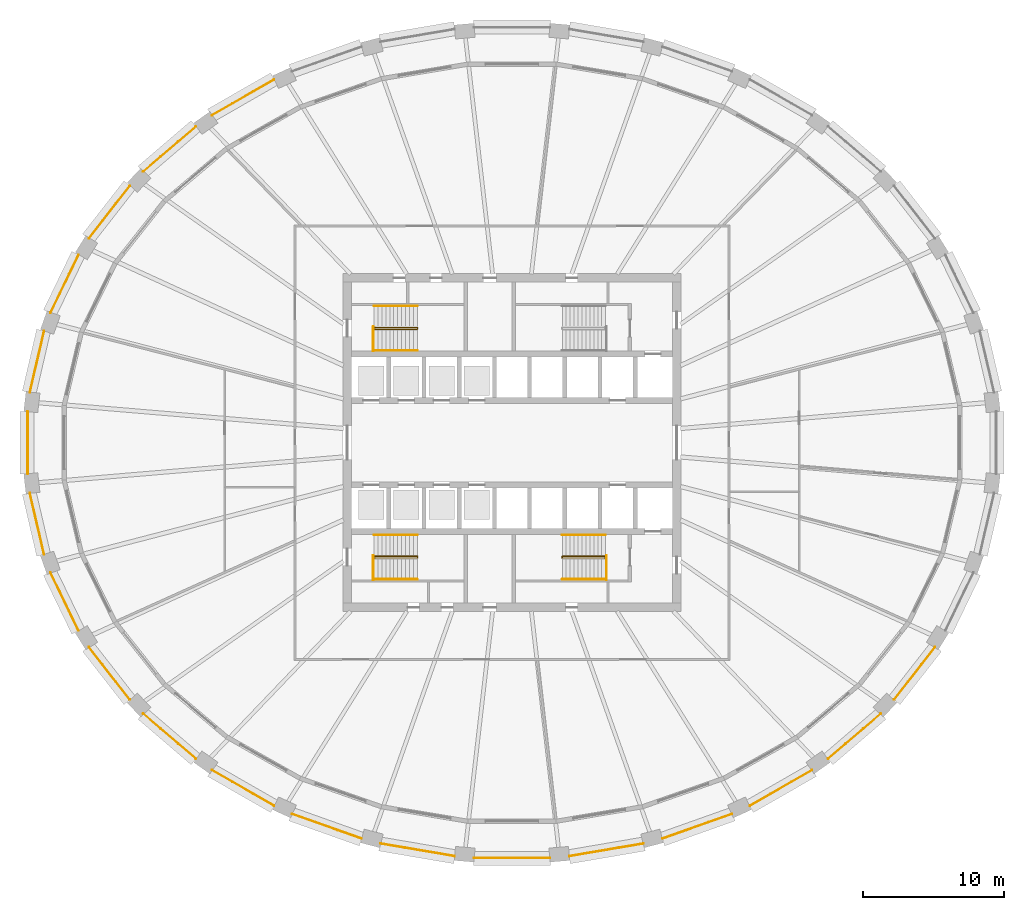
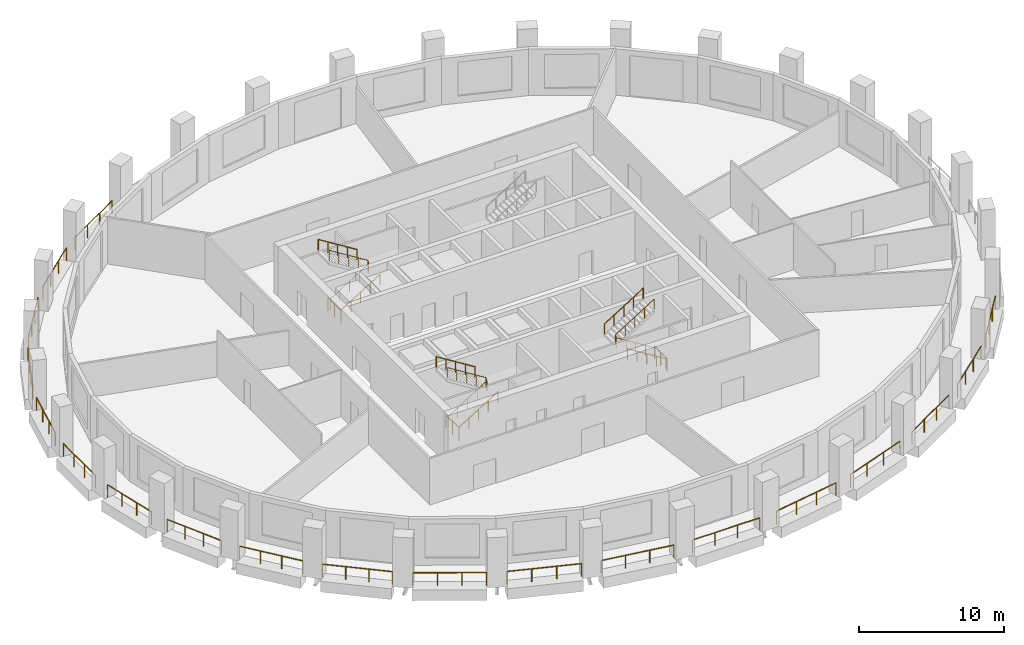
# One storey, part 8 of 10: 31 railings.
"""IFC4 building model written with IfcOpenShell, lengths in metres."""

import ifcopenshell
import ifcopenshell.guid

model = None  # the IFC model being written
_history = None  # IfcOwnerHistory: only IFC2X3 demands one
_inside = {}  # id of a spatial element -> (the spatial element, [elements in it])
_under = {}  # id of a project, library or spatial element -> (it, [spatial elements below it])
_declared = {}  # id of a project -> (the project, [libraries it declares])
_typed = {}  # id of a type object -> (the type object, [elements of that type])
_made_of = {}  # id of a material, layer set ... -> (it, [elements and type objects made of it])


def new_model(schema):
    """Start an empty IFC model of exactly this schema.

    Asked for "IFC4X3", IfcOpenShell would pick the latest addendum, in which some entities
    have other attributes; the version numbers below select the first issue.
    IFC2X3 requires an IfcOwnerHistory on every rooted entity: one is made here for all.
    """
    global model, _history
    if schema == "IFC4X3":
        model = ifcopenshell.file(schema_version=(4, 3, 0, 0))
    else:
        model = ifcopenshell.file(schema=schema)
    _inside.clear()
    _under.clear()
    _declared.clear()
    _typed.clear()
    _made_of.clear()
    _history = None
    if model.schema == "IFC2X3":
        org = make("IfcOrganization", Name="unknown")
        user = make(
            "IfcPersonAndOrganization",
            ThePerson=make("IfcPerson", FamilyName="unknown"),
            TheOrganization=org,
        )
        app = make(
            "IfcApplication",
            ApplicationDeveloper=org,
            Version="unknown",
            ApplicationFullName="unknown",
            ApplicationIdentifier="unknown",
        )
        _history = make(
            "IfcOwnerHistory",
            OwningUser=user,
            OwningApplication=app,
            ChangeAction="ADDED",
            CreationDate=0,
        )
    return model


def make(cls, **values):
    """One entity of the class cls with the attributes given. An attribute that is None is left unset."""
    return model.create_entity(
        cls, **{name: value for name, value in values.items() if value is not None}
    )


def rooted(cls, **values):
    """An entity with a GlobalId (a new one), such as an element, a storey or a relation."""
    return make(cls, GlobalId=ifcopenshell.guid.new(), OwnerHistory=_history, **values)


def si_unit(unit_type, name, prefix=None):
    """IfcSIUnit, for example si_unit("LENGTHUNIT", "METRE", prefix="MILLI")."""
    return make("IfcSIUnit", UnitType=unit_type, Prefix=prefix, Name=name)


def assignment(units):
    """IfcUnitAssignment: the units of a project."""
    return None if units is None else make("IfcUnitAssignment", Units=units)


def point(xyz):
    """IfcCartesianPoint."""
    return None if xyz is None else make("IfcCartesianPoint", Coordinates=xyz)


def direction(xyz):
    """IfcDirection."""
    return None if xyz is None else make("IfcDirection", DirectionRatios=xyz)


def frame(location, z_axis=None, x_axis=None):
    """IfcAxis2Placement3D, a coordinate frame: its origin and axes. An axis left out is left unset."""
    return make(
        "IfcAxis2Placement3D",
        Location=point(location),
        Axis=direction(z_axis),
        RefDirection=direction(x_axis),
    )


def frame_2d(location, x_axis=None):
    """IfcAxis2Placement2D, a coordinate frame in the plane: its origin and x axis."""
    return make(
        "IfcAxis2Placement2D", Location=point(location), RefDirection=direction(x_axis)
    )


def origin():
    """The frame at (0, 0, 0) with its axes left unset."""
    return frame((0.0, 0.0, 0.0))


def origin_2d():
    """The frame at (0, 0) in the plane with its x axis left unset."""
    return frame_2d((0.0, 0.0))


def place(relative_to, where):
    """IfcLocalPlacement: puts the frame where relative to a parent placement (None: the world)."""
    return make(
        "IfcLocalPlacement", PlacementRelTo=relative_to, RelativePlacement=where
    )


def context(
    kind, dimensions, precision=None, world=None, true_north=None, identifier=None
):
    """IfcGeometricRepresentationContext, for example the 3D "Model" context."""
    return make(
        "IfcGeometricRepresentationContext",
        ContextIdentifier=identifier,
        ContextType=kind,
        CoordinateSpaceDimension=dimensions,
        Precision=precision,
        WorldCoordinateSystem=world,
        TrueNorth=true_north,
    )


def subcontext(parent, identifier, kind, view, scale=None):
    """IfcGeometricRepresentationSubContext, for example "Body" below "Model"."""
    return make(
        "IfcGeometricRepresentationSubContext",
        ContextIdentifier=identifier,
        ContextType=kind,
        ParentContext=parent,
        TargetScale=scale,
        TargetView=view,
    )


def project(units=None, contexts=None):
    """IfcProject with its units and contexts."""
    return rooted(
        "IfcProject",
        Name="project",
        RepresentationContexts=contexts,
        UnitsInContext=assignment(units),
    )


def spatial(cls, under=None, at=None, **own):
    """A site, building, storey or space (cls), placed at a placement, below another one or the project."""
    s = rooted(cls, ObjectPlacement=at, **own)
    if under is not None:
        _under.setdefault(under.id(), (under, []))[1].append(s)
    return s


def profile(cls, at=None, kind="AREA", **sizes):
    """A parametric profile (cls). Its sizes go by their IFC names, for example OverallWidth=200.0."""
    return make(cls, ProfileType=kind, Position=at, **sizes)


def circle(**sizes):
    """IfcCircleProfileDef."""
    return profile("IfcCircleProfileDef", **sizes)


def extrude(swept, where, along, depth):
    """IfcExtrudedAreaSolid: the profile swept, set in the frame where, extruded along a direction by depth."""
    return make(
        "IfcExtrudedAreaSolid",
        SweptArea=swept,
        Position=where,
        ExtrudedDirection=direction(along),
        Depth=depth,
    )


def shape(context_of_items, identifier, shape_type, items):
    """IfcShapeRepresentation: the items that make up one representation, for example the "Body"."""
    return make(
        "IfcShapeRepresentation",
        ContextOfItems=context_of_items,
        RepresentationIdentifier=identifier,
        RepresentationType=shape_type,
        Items=items,
    )


def material(Name=None, Category=None):
    """IfcMaterial."""
    return make("IfcMaterial", Name=Name, Category=Category)


def made_of(thing, what):
    """Note that an element or type object is made of a material, layer set ...; save() writes the relation."""
    if what is not None:
        _made_of.setdefault(what.id(), (what, []))[1].append(thing)
    return thing


def type_object(cls, material=None, **own):
    """A type object (cls), such as IfcWallType, which elements share."""
    return made_of(rooted(cls, **own), material)


def element(
    cls,
    number,
    at=None,
    inside=None,
    cuts=None,
    type_object=None,
    material=None,
    context=None,
    identifier="Body",
    shape_type=None,
    held_by="IfcProductDefinitionShape",
    body=None,
    shapes=None,
    **own,
):
    """One element of the class cls, such as IfcWall. Its Tag is "e" and its number.

    at: its placement. inside: the storey or other place that contains it. cuts: it is an
    opening in that element (IfcRelVoidsElement). A single representation is given by context,
    identifier, shape_type and body (its items); several are given by shapes. held_by: the class
    of the entity that holds the representations. save() writes the other relations.
    """
    e = rooted(cls, Tag="e%d" % number, ObjectPlacement=at, **own)
    if body is not None:
        shapes = [shape(context, identifier, shape_type, body)]
    if shapes is not None:
        e.Representation = make(held_by, Representations=shapes)
    if inside is not None:
        _inside.setdefault(inside.id(), (inside, []))[1].append(e)
    if cuts is not None:
        rooted(
            "IfcRelVoidsElement", RelatingBuildingElement=cuts, RelatedOpeningElement=e
        )
    if type_object is not None:
        _typed.setdefault(type_object.id(), (type_object, []))[1].append(e)
    return made_of(e, material)


def aggregate(whole, parts):
    """IfcRelAggregates: a whole, such as a stair, and the parts it consists of."""
    return rooted("IfcRelAggregates", RelatingObject=whole, RelatedObjects=parts)


def save(model, path):
    """Write the relations noted so far, then the file.

    IfcRelAggregates (storeys below a building ...), IfcRelContainedInSpatialStructure (elements
    in a storey), IfcRelDefinesByType, IfcRelAssociatesMaterial and IfcRelDeclares: one each for
    every whole, place, type object, material and project.
    """
    for whole, parts in _under.values():
        aggregate(whole, parts)
    for where, things in _inside.values():
        rooted(
            "IfcRelContainedInSpatialStructure",
            RelatedElements=things,
            RelatingStructure=where,
        )
    for kind, things in _typed.values():
        rooted("IfcRelDefinesByType", RelatedObjects=things, RelatingType=kind)
    for what, things in _made_of.values():
        rooted("IfcRelAssociatesMaterial", RelatedObjects=things, RelatingMaterial=what)
    for by, libraries in _declared.values():
        rooted("IfcRelDeclares", RelatingContext=by, RelatedDefinitions=libraries)
    model.write(path)


model = new_model("IFC4")

# Units and contexts
model_context = context("Model", 3, precision=1e-05, world=origin(), true_north=direction((0.0, 1.0)))
body_context = subcontext(model_context, "Body", "Model", "MODEL_VIEW")
ifc_project = project(units=[si_unit("LENGTHUNIT", "METRE"), si_unit("AREAUNIT", "SQUARE_METRE"), si_unit("VOLUMEUNIT", "CUBIC_METRE"), si_unit("PLANEANGLEUNIT", "RADIAN"), si_unit("MASSUNIT", "GRAM", prefix="KILO")], contexts=[model_context])

# Site, building, storey
site_placement = place(None, origin())
site = spatial("IfcSite", under=ifc_project, at=site_placement, CompositionType="ELEMENT")
building_placement = place(site_placement, origin())
building = spatial("IfcBuilding", under=site, at=building_placement, Name="Halqa Exchange Tower", CompositionType="ELEMENT")
storey_placement = place(building_placement, frame((0.0, 0.0, 138.10009765625)))
storey = spatial("IfcBuildingStorey", under=building, at=storey_placement, Name="L31", CompositionType="ELEMENT", Elevation=138.10009765625)

# Railings
ifc_material = material(Name="Stainless steel", Category="steel")
railing_type_1 = type_object("IfcRailingType", Name="Guard 1100 stainless steel", PredefinedType="GUARDRAIL", material=ifc_material)
railing_1_placement = place(storey_placement, frame((-16.899169921875, 25.777587890625, 0.0)))
element("IfcRailing", 1, at=railing_1_placement, inside=storey, type_object=railing_type_1, Name="Loggia guard 11", PredefinedType="GUARDRAIL", context=body_context, shape_type="SweptSolid", body=[
    extrude(circle(Radius=0.02392578125, at=origin_2d()), frame((0.0, 0.0, 1.076171875), z_axis=(-0.867749936093, -0.497001054738, 0.0), x_axis=(0.497001054738, -0.867749936093, 0.0)), (0.0, 0.0, 1.0), 5.091552734375),
    extrude(circle(Radius=0.02099609375, at=origin_2d()), origin(), (0.0, 0.0, 1.0), 1.052001953125),
    extrude(circle(Radius=0.02099609375, at=origin_2d()), frame((-1.47265625, -0.843505859375, 0.0)), (0.0, 0.0, 1.0), 1.052001953125),
    extrude(circle(Radius=0.02099609375, at=origin_2d()), frame((-2.945556640625, -1.68701171875, 0.0)), (0.0, 0.0, 1.0), 1.052001953125),
    extrude(circle(Radius=0.02099609375, at=origin_2d()), frame((-4.418212890625, -2.530517578125, 0.0)), (0.0, 0.0, 1.0), 1.052001953125),
])
railing_2_placement = place(storey_placement, frame((-22.45654296875, 22.443603515625, 0.0)))
element("IfcRailing", 2, at=railing_2_placement, inside=storey, type_object=railing_type_1, Name="Loggia guard 12", PredefinedType="GUARDRAIL", context=body_context, shape_type="SweptSolid", body=[
    extrude(circle(Radius=0.02392578125, at=origin_2d()), frame((0.0, 0.0, 1.076171875), z_axis=(-0.759228520652, -0.650824134025, 0.0), x_axis=(0.650824134025, -0.759228520652, 0.0)), (0.0, 0.0, 1.0), 4.90966796875),
    extrude(circle(Radius=0.02099609375, at=origin_2d()), origin(), (0.0, 0.0, 1.0), 1.052001953125),
    extrude(circle(Radius=0.02099609375, at=origin_2d()), frame((-1.242431640625, -1.065185546875, 0.0)), (0.0, 0.0, 1.0), 1.052001953125),
    extrude(circle(Radius=0.02099609375, at=origin_2d()), frame((-2.485107421875, -2.130126953125, 0.0)), (0.0, 0.0, 1.0), 1.052001953125),
    extrude(circle(Radius=0.02099609375, at=origin_2d()), frame((-3.7275390625, -3.1953125, 0.0)), (0.0, 0.0, 1.0), 1.052001953125),
])
railing_3_placement = place(storey_placement, frame((-27.14599609375, 18.24072265625, 0.0)))
element("IfcRailing", 3, at=railing_3_placement, inside=storey, type_object=railing_type_1, Name="Loggia guard 13", PredefinedType="GUARDRAIL", context=body_context, shape_type="SweptSolid", body=[
    extrude(circle(Radius=0.02392578125, at=origin_2d()), frame((0.0, 0.0, 1.076171875), z_axis=(-0.614809984835, -0.788675270658, 0.0), x_axis=(0.788675270658, -0.614809984835, 0.0)), (0.0, 0.0, 1.0), 4.722412109375),
    extrude(circle(Radius=0.02099609375, at=origin_2d()), origin(), (0.0, 0.0, 1.0), 1.052001953125),
    extrude(circle(Radius=0.02099609375, at=origin_2d()), frame((-0.9677734375, -1.241455078125, 0.0)), (0.0, 0.0, 1.0), 1.052001953125),
    extrude(circle(Radius=0.02099609375, at=origin_2d()), frame((-1.935546875, -2.48291015625, 0.0)), (0.0, 0.0, 1.0), 1.052001953125),
    extrude(circle(Radius=0.02099609375, at=origin_2d()), frame((-2.9033203125, -3.724365234375, 0.0)), (0.0, 0.0, 1.0), 1.052001953125),
])
railing_4_placement = place(storey_placement, frame((-30.7841796875, 13.333984375, 0.0)))
element("IfcRailing", 4, at=railing_4_placement, inside=storey, type_object=railing_type_1, Name="Loggia guard 14", PredefinedType="GUARDRAIL", context=body_context, shape_type="SweptSolid", body=[
    extrude(circle(Radius=0.02392578125, at=origin_2d()), frame((0.0, 0.0, 1.076171875), z_axis=(-0.435090513409, -0.900386719772, 0.0), x_axis=(0.900386719772, -0.435090513409, 0.0)), (0.0, 0.0, 1.0), 4.55859375),
    extrude(circle(Radius=0.02099609375, at=origin_2d()), origin(), (0.0, 0.0, 1.0), 1.052001953125),
    extrude(circle(Radius=0.02099609375, at=origin_2d()), frame((-0.6611328125, -1.3681640625, 0.0)), (0.0, 0.0, 1.0), 1.052001953125),
    extrude(circle(Radius=0.02099609375, at=origin_2d()), frame((-1.322265625, -2.736328125, 0.0)), (0.0, 0.0, 1.0), 1.052001953125),
    extrude(circle(Radius=0.02099609375, at=origin_2d()), frame((-1.9833984375, -4.1044921875, 0.0)), (0.0, 0.0, 1.0), 1.052001953125),
])
railing_5_placement = place(storey_placement, frame((-33.230712890625, 7.917236328125, 0.0)))
element("IfcRailing", 5, at=railing_5_placement, inside=storey, type_object=railing_type_1, Name="Loggia guard 15", PredefinedType="GUARDRAIL", context=body_context, shape_type="SweptSolid", body=[
    extrude(circle(Radius=0.02392578125, at=origin_2d()), frame((0.0, 0.0, 1.076171875), z_axis=(-0.226030168713, -0.974120302032, 0.0), x_axis=(0.974120302032, -0.226030168713, 0.0)), (0.0, 0.0, 1.0), 4.44677734375),
    extrude(circle(Radius=0.02099609375, at=origin_2d()), origin(), (0.0, 0.0, 1.0), 1.052001953125),
    extrude(circle(Radius=0.02099609375, at=origin_2d()), frame((-0.3349609375, -1.44384765625, 0.0)), (0.0, 0.0, 1.0), 1.052001953125),
    extrude(circle(Radius=0.02099609375, at=origin_2d()), frame((-0.670166015625, -2.887939453125, 0.0)), (0.0, 0.0, 1.0), 1.052001953125),
    extrude(circle(Radius=0.02099609375, at=origin_2d()), frame((-1.005126953125, -4.331787109375, 0.0)), (0.0, 0.0, 1.0), 1.052001953125),
])
railing_6_placement = place(storey_placement, frame((-34.39404296875, 2.20361328125, 0.0)))
element("IfcRailing", 6, at=railing_6_placement, inside=storey, type_object=railing_type_1, Name="Loggia guard 16", PredefinedType="GUARDRAIL", context=body_context, shape_type="SweptSolid", body=[
    extrude(circle(Radius=0.02392578125, at=origin_2d()), frame((0.0, 0.0, 1.076171875), z_axis=(0.0, -1.0, 0.0), x_axis=(1.0, 0.0, 0.0)), (0.0, 0.0, 1.0), 4.4072265625),
    extrude(circle(Radius=0.02099609375, at=origin_2d()), origin(), (0.0, 0.0, 1.0), 1.052001953125),
    extrude(circle(Radius=0.02099609375, at=origin_2d()), frame((0.0, -1.468994140625, 0.0)), (0.0, 0.0, 1.0), 1.052001953125),
    extrude(circle(Radius=0.02099609375, at=origin_2d()), frame((0.0, -2.938232421875, 0.0)), (0.0, 0.0, 1.0), 1.052001953125),
    extrude(circle(Radius=0.02099609375, at=origin_2d()), frame((0.0, -4.4072265625, 0.0)), (0.0, 0.0, 1.0), 1.052001953125),
])
railing_7_placement = place(storey_placement, frame((-34.23583984375, -3.58544921875, 0.0)))
element("IfcRailing", 7, at=railing_7_placement, inside=storey, type_object=railing_type_1, Name="Loggia guard 17", PredefinedType="GUARDRAIL", context=body_context, shape_type="SweptSolid", body=[
    extrude(circle(Radius=0.02392578125, at=origin_2d()), frame((0.0, 0.0, 1.076171875), z_axis=(0.226030168713, -0.974120302032, 0.0), x_axis=(0.974120302032, 0.226030168713, 0.0)), (0.0, 0.0, 1.0), 4.44677734375),
    extrude(circle(Radius=0.02099609375, at=origin_2d()), origin(), (0.0, 0.0, 1.0), 1.052001953125),
    extrude(circle(Radius=0.02099609375, at=origin_2d()), frame((0.3349609375, -1.44384765625, 0.0)), (0.0, 0.0, 1.0), 1.052001953125),
    extrude(circle(Radius=0.02099609375, at=origin_2d()), frame((0.670166015625, -2.887939453125, 0.0)), (0.0, 0.0, 1.0), 1.052001953125),
    extrude(circle(Radius=0.02099609375, at=origin_2d()), frame((1.005126953125, -4.331787109375, 0.0)), (0.0, 0.0, 1.0), 1.052001953125),
])
railing_8_placement = place(storey_placement, frame((-32.767578125, -9.2294921875, 0.0)))
element("IfcRailing", 8, at=railing_8_placement, inside=storey, type_object=railing_type_1, Name="Loggia guard 18", PredefinedType="GUARDRAIL", context=body_context, shape_type="SweptSolid", body=[
    extrude(circle(Radius=0.02392578125, at=origin_2d()), frame((0.0, 0.0, 1.076171875), z_axis=(0.435090513409, -0.900386719772, 0.0), x_axis=(0.900386719772, 0.435090513409, 0.0)), (0.0, 0.0, 1.0), 4.55859375),
    extrude(circle(Radius=0.02099609375, at=origin_2d()), origin(), (0.0, 0.0, 1.0), 1.052001953125),
    extrude(circle(Radius=0.02099609375, at=origin_2d()), frame((0.6611328125, -1.3681640625, 0.0)), (0.0, 0.0, 1.0), 1.052001953125),
    extrude(circle(Radius=0.02099609375, at=origin_2d()), frame((1.322265625, -2.736328125, 0.0)), (0.0, 0.0, 1.0), 1.052001953125),
    extrude(circle(Radius=0.02099609375, at=origin_2d()), frame((1.9833984375, -4.1044921875, 0.0)), (0.0, 0.0, 1.0), 1.052001953125),
])
railing_9_placement = place(storey_placement, frame((-30.04931640625, -14.516357421875, 0.0)))
element("IfcRailing", 9, at=railing_9_placement, inside=storey, type_object=railing_type_1, Name="Loggia guard 19", PredefinedType="GUARDRAIL", context=body_context, shape_type="SweptSolid", body=[
    extrude(circle(Radius=0.02392578125, at=origin_2d()), frame((0.0, 0.0, 1.076171875), z_axis=(0.614809984835, -0.788675270658, 0.0), x_axis=(0.788675270658, 0.614809984835, 0.0)), (0.0, 0.0, 1.0), 4.722412109375),
    extrude(circle(Radius=0.02099609375, at=origin_2d()), origin(), (0.0, 0.0, 1.0), 1.052001953125),
    extrude(circle(Radius=0.02099609375, at=origin_2d()), frame((0.9677734375, -1.241455078125, 0.0)), (0.0, 0.0, 1.0), 1.052001953125),
    extrude(circle(Radius=0.02099609375, at=origin_2d()), frame((1.935546875, -2.48291015625, 0.0)), (0.0, 0.0, 1.0), 1.052001953125),
    extrude(circle(Radius=0.02099609375, at=origin_2d()), frame((2.9033203125, -3.724365234375, 0.0)), (0.0, 0.0, 1.0), 1.052001953125),
])
railing_10_placement = place(storey_placement, frame((-26.18408203125, -19.248291015625, 0.0)))
element("IfcRailing", 10, at=railing_10_placement, inside=storey, type_object=railing_type_1, Name="Loggia guard 20", PredefinedType="GUARDRAIL", context=body_context, shape_type="SweptSolid", body=[
    extrude(circle(Radius=0.02392578125, at=origin_2d()), frame((0.0, 0.0, 1.076171875), z_axis=(0.759228520652, -0.650824134025, 0.0), x_axis=(0.650824134025, 0.759228520652, 0.0)), (0.0, 0.0, 1.0), 4.90966796875),
    extrude(circle(Radius=0.02099609375, at=origin_2d()), origin(), (0.0, 0.0, 1.0), 1.052001953125),
    extrude(circle(Radius=0.02099609375, at=origin_2d()), frame((1.242431640625, -1.065185546875, 0.0)), (0.0, 0.0, 1.0), 1.052001953125),
    extrude(circle(Radius=0.02099609375, at=origin_2d()), frame((2.485107421875, -2.130126953125, 0.0)), (0.0, 0.0, 1.0), 1.052001953125),
    extrude(circle(Radius=0.02099609375, at=origin_2d()), frame((3.7275390625, -3.1953125, 0.0)), (0.0, 0.0, 1.0), 1.052001953125),
])
railing_11_placement = place(storey_placement, frame((-21.3173828125, -23.2470703125, 0.0)))
element("IfcRailing", 11, at=railing_11_placement, inside=storey, type_object=railing_type_1, Name="Loggia guard 21", PredefinedType="GUARDRAIL", context=body_context, shape_type="SweptSolid", body=[
    extrude(circle(Radius=0.02392578125, at=origin_2d()), frame((0.0, 0.0, 1.076171875), z_axis=(0.867749936093, -0.497001054738, 0.0), x_axis=(0.497001054738, 0.867749936093, 0.0)), (0.0, 0.0, 1.0), 5.091552734375),
    extrude(circle(Radius=0.02099609375, at=origin_2d()), origin(), (0.0, 0.0, 1.0), 1.052001953125),
    extrude(circle(Radius=0.02099609375, at=origin_2d()), frame((1.47265625, -0.843505859375, 0.0)), (0.0, 0.0, 1.0), 1.052001953125),
    extrude(circle(Radius=0.02099609375, at=origin_2d()), frame((2.945556640625, -1.68701171875, 0.0)), (0.0, 0.0, 1.0), 1.052001953125),
    extrude(circle(Radius=0.02099609375, at=origin_2d()), frame((4.418212890625, -2.530517578125, 0.0)), (0.0, 0.0, 1.0), 1.052001953125),
])
railing_12_placement = place(storey_placement, frame((-15.632080078125, -26.359619140625, 0.0)))
element("IfcRailing", 12, at=railing_12_placement, inside=storey, type_object=railing_type_1, Name="Loggia guard 22", PredefinedType="GUARDRAIL", context=body_context, shape_type="SweptSolid", body=[
    extrude(circle(Radius=0.02392578125, at=origin_2d()), frame((0.0, 0.0, 1.076171875), z_axis=(0.942366176872, -0.334583306051, 0.0), x_axis=(0.334583306051, 0.942366176872, 0.0)), (0.0, 0.0, 1.0), 5.241943359375),
    extrude(circle(Radius=0.02099609375, at=origin_2d()), origin(), (0.0, 0.0, 1.0), 1.052001953125),
    extrude(circle(Radius=0.02099609375, at=origin_2d()), frame((1.646728515625, -0.584716796875, 0.0)), (0.0, 0.0, 1.0), 1.052001953125),
    extrude(circle(Radius=0.02099609375, at=origin_2d()), frame((3.293212890625, -1.169189453125, 0.0)), (0.0, 0.0, 1.0), 1.052001953125),
    extrude(circle(Radius=0.02099609375, at=origin_2d()), frame((4.93994140625, -1.75390625, 0.0)), (0.0, 0.0, 1.0), 1.052001953125),
])
railing_13_placement = place(storey_placement, frame((-9.34228515625, -28.46533203125, 0.0)))
element("IfcRailing", 13, at=railing_13_placement, inside=storey, type_object=railing_type_1, Name="Loggia guard 23", PredefinedType="GUARDRAIL", context=body_context, shape_type="SweptSolid", body=[
    extrude(circle(Radius=0.02392578125, at=origin_2d()), frame((0.0, 0.0, 1.076171875), z_axis=(0.985771732872, -0.168089531709, 0.0), x_axis=(0.168089531709, 0.985771732872, 0.0)), (0.0, 0.0, 1.0), 5.340576171875),
    extrude(circle(Radius=0.02099609375, at=origin_2d()), origin(), (0.0, 0.0, 1.0), 1.052001953125),
    extrude(circle(Radius=0.02099609375, at=origin_2d()), frame((1.7548828125, -0.29931640625, 0.0)), (0.0, 0.0, 1.0), 1.052001953125),
    extrude(circle(Radius=0.02099609375, at=origin_2d()), frame((3.509765625, -0.598388671875, 0.0)), (0.0, 0.0, 1.0), 1.052001953125),
    extrude(circle(Radius=0.02099609375, at=origin_2d()), frame((5.2646484375, -0.897705078125, 0.0)), (0.0, 0.0, 1.0), 1.052001953125),
])
railing_14_placement = place(storey_placement, frame((-2.6875, -29.480712890625, 0.0)))
element("IfcRailing", 14, at=railing_14_placement, inside=storey, type_object=railing_type_1, Name="Loggia guard 24", PredefinedType="GUARDRAIL", context=body_context, shape_type="SweptSolid", body=[
    extrude(circle(Radius=0.02392578125, at=origin_2d()), frame((0.0, 0.0, 1.076171875), z_axis=(1.0, 0.0, 0.0), x_axis=(0.0, 1.0, 0.0)), (0.0, 0.0, 1.0), 5.375),
    extrude(circle(Radius=0.02099609375, at=origin_2d()), origin(), (0.0, 0.0, 1.0), 1.052001953125),
    extrude(circle(Radius=0.02099609375, at=origin_2d()), frame((1.791748046875, 0.0, 0.0)), (0.0, 0.0, 1.0), 1.052001953125),
    extrude(circle(Radius=0.02099609375, at=origin_2d()), frame((3.583251953125, 0.0, 0.0)), (0.0, 0.0, 1.0), 1.052001953125),
    extrude(circle(Radius=0.02099609375, at=origin_2d()), frame((5.375, 0.0, 0.0)), (0.0, 0.0, 1.0), 1.052001953125),
])
railing_15_placement = place(storey_placement, frame((4.07763671875, -29.363037109375, 0.0)))
element("IfcRailing", 15, at=railing_15_placement, inside=storey, type_object=railing_type_1, Name="Loggia guard 25", PredefinedType="GUARDRAIL", context=body_context, shape_type="SweptSolid", body=[
    extrude(circle(Radius=0.02392578125, at=origin_2d()), frame((0.0, 0.0, 1.076171875), z_axis=(0.985771732872, 0.168089531709, 0.0), x_axis=(-0.168089531709, 0.985771732872, 0.0)), (0.0, 0.0, 1.0), 5.340576171875),
    extrude(circle(Radius=0.02099609375, at=origin_2d()), origin(), (0.0, 0.0, 1.0), 1.052001953125),
    extrude(circle(Radius=0.02099609375, at=origin_2d()), frame((1.7548828125, 0.29931640625, 0.0)), (0.0, 0.0, 1.0), 1.052001953125),
    extrude(circle(Radius=0.02099609375, at=origin_2d()), frame((3.509765625, 0.598388671875, 0.0)), (0.0, 0.0, 1.0), 1.052001953125),
    extrude(circle(Radius=0.02099609375, at=origin_2d()), frame((5.2646484375, 0.897705078125, 0.0)), (0.0, 0.0, 1.0), 1.052001953125),
])
railing_16_placement = place(storey_placement, frame((10.692138671875, -28.113525390625, 0.0)))
element("IfcRailing", 16, at=railing_16_placement, inside=storey, type_object=railing_type_1, Name="Loggia guard 26", PredefinedType="GUARDRAIL", context=body_context, shape_type="SweptSolid", body=[
    extrude(circle(Radius=0.02392578125, at=origin_2d()), frame((0.0, 0.0, 1.076171875), z_axis=(0.942366176872, 0.334583306051, 0.0), x_axis=(-0.334583306051, 0.942366176872, 0.0)), (0.0, 0.0, 1.0), 5.241943359375),
    extrude(circle(Radius=0.02099609375, at=origin_2d()), origin(), (0.0, 0.0, 1.0), 1.052001953125),
    extrude(circle(Radius=0.02099609375, at=origin_2d()), frame((1.646728515625, 0.584716796875, 0.0)), (0.0, 0.0, 1.0), 1.052001953125),
    extrude(circle(Radius=0.02099609375, at=origin_2d()), frame((3.293212890625, 1.169189453125, 0.0)), (0.0, 0.0, 1.0), 1.052001953125),
    extrude(circle(Radius=0.02099609375, at=origin_2d()), frame((4.93994140625, 1.75390625, 0.0)), (0.0, 0.0, 1.0), 1.052001953125),
])
railing_17_placement = place(storey_placement, frame((16.899169921875, -25.777587890625, 0.0)))
element("IfcRailing", 17, at=railing_17_placement, inside=storey, type_object=railing_type_1, Name="Loggia guard 27", PredefinedType="GUARDRAIL", context=body_context, shape_type="SweptSolid", body=[
    extrude(circle(Radius=0.02392578125, at=origin_2d()), frame((0.0, 0.0, 1.076171875), z_axis=(0.867749936093, 0.497001054738, 0.0), x_axis=(-0.497001054738, 0.867749936093, 0.0)), (0.0, 0.0, 1.0), 5.091552734375),
    extrude(circle(Radius=0.02099609375, at=origin_2d()), origin(), (0.0, 0.0, 1.0), 1.052001953125),
    extrude(circle(Radius=0.02099609375, at=origin_2d()), frame((1.47265625, 0.843505859375, 0.0)), (0.0, 0.0, 1.0), 1.052001953125),
    extrude(circle(Radius=0.02099609375, at=origin_2d()), frame((2.945556640625, 1.68701171875, 0.0)), (0.0, 0.0, 1.0), 1.052001953125),
    extrude(circle(Radius=0.02099609375, at=origin_2d()), frame((4.418212890625, 2.530517578125, 0.0)), (0.0, 0.0, 1.0), 1.052001953125),
])
railing_18_placement = place(storey_placement, frame((22.45654296875, -22.443603515625, 0.0)))
element("IfcRailing", 18, at=railing_18_placement, inside=storey, type_object=railing_type_1, Name="Loggia guard 28", PredefinedType="GUARDRAIL", context=body_context, shape_type="SweptSolid", body=[
    extrude(circle(Radius=0.02392578125, at=origin_2d()), frame((0.0, 0.0, 1.076171875), z_axis=(0.759228520652, 0.650824134025, 0.0), x_axis=(-0.650824134025, 0.759228520652, 0.0)), (0.0, 0.0, 1.0), 4.90966796875),
    extrude(circle(Radius=0.02099609375, at=origin_2d()), origin(), (0.0, 0.0, 1.0), 1.052001953125),
    extrude(circle(Radius=0.02099609375, at=origin_2d()), frame((1.242431640625, 1.065185546875, 0.0)), (0.0, 0.0, 1.0), 1.052001953125),
    extrude(circle(Radius=0.02099609375, at=origin_2d()), frame((2.485107421875, 2.130126953125, 0.0)), (0.0, 0.0, 1.0), 1.052001953125),
    extrude(circle(Radius=0.02099609375, at=origin_2d()), frame((3.7275390625, 3.1953125, 0.0)), (0.0, 0.0, 1.0), 1.052001953125),
])
railing_19_placement = place(storey_placement, frame((27.14599609375, -18.24072265625, 0.0)))
element("IfcRailing", 19, at=railing_19_placement, inside=storey, type_object=railing_type_1, Name="Loggia guard 29", PredefinedType="GUARDRAIL", context=body_context, shape_type="SweptSolid", body=[
    extrude(circle(Radius=0.02392578125, at=origin_2d()), frame((0.0, 0.0, 1.076171875), z_axis=(0.614809984835, 0.788675270658, 0.0), x_axis=(-0.788675270658, 0.614809984835, 0.0)), (0.0, 0.0, 1.0), 4.722412109375),
    extrude(circle(Radius=0.02099609375, at=origin_2d()), origin(), (0.0, 0.0, 1.0), 1.052001953125),
    extrude(circle(Radius=0.02099609375, at=origin_2d()), frame((0.9677734375, 1.241455078125, 0.0)), (0.0, 0.0, 1.0), 1.052001953125),
    extrude(circle(Radius=0.02099609375, at=origin_2d()), frame((1.935546875, 2.48291015625, 0.0)), (0.0, 0.0, 1.0), 1.052001953125),
    extrude(circle(Radius=0.02099609375, at=origin_2d()), frame((2.9033203125, 3.724365234375, 0.0)), (0.0, 0.0, 1.0), 1.052001953125),
])
railing_type_2 = type_object("IfcRailingType", Name="Stair handrail 900", PredefinedType="HANDRAIL", material=ifc_material)
railing_20_placement = place(storey_placement, frame((-9.800048828125, 8.06005859375, 0.1748046875)))
element("IfcRailing", 20, at=railing_20_placement, inside=storey, type_object=railing_type_2, Name="Handrail ST1.1", PredefinedType="HANDRAIL", context=body_context, shape_type="SweptSolid", body=[
    extrude(circle(Radius=0.02392578125, at=origin_2d()), frame((0.0, 0.0, 0.8759765625), z_axis=(0.847998304005, 0.0, 0.529998940003), x_axis=(0.0, 1.0, 0.0)), (0.0, 0.0, 1.0), 3.632080078125),
    extrude(circle(Radius=0.02392578125, at=origin_2d()), frame((3.080078125, 0.0, 2.80078125), z_axis=(0.0, 0.595870227118, 0.803080738428), x_axis=(-1.0, 0.0, 0.0)), (0.0, 0.0, 1.0), 0.218017578125),
    extrude(circle(Radius=0.02392578125, at=origin_2d()), frame((3.080078125, 0.1298828125, 2.97607421875), z_axis=(-0.847998304005, 0.0, 0.529998940003), x_axis=(0.0, -1.0, 0.0)), (0.0, 0.0, 1.0), 3.632080078125),
    extrude(circle(Radius=0.02099609375, at=origin_2d()), origin(), (0.0, 0.0, 1.0), 0.851806640625),
    extrude(circle(Radius=0.02099609375, at=origin_2d()), frame((0.77001953125, 0.0, 0.481201171875)), (0.0, 0.0, 1.0), 0.851806640625),
    extrude(circle(Radius=0.02099609375, at=origin_2d()), frame((1.5400390625, 0.0, 0.96240234375)), (0.0, 0.0, 1.0), 0.851806640625),
    extrude(circle(Radius=0.02099609375, at=origin_2d()), frame((2.31005859375, 0.0, 1.44384765625)), (0.0, 0.0, 1.0), 0.851806640625),
    extrude(circle(Radius=0.02099609375, at=origin_2d()), frame((3.080078125, 0.0, 1.925048828125)), (0.0, 0.0, 1.0), 0.851806640625),
    extrude(circle(Radius=0.02099609375, at=origin_2d()), frame((3.080078125, 0.1298828125, 2.10009765625)), (0.0, 0.0, 1.0), 0.851806640625),
    extrude(circle(Radius=0.02099609375, at=origin_2d()), frame((2.31005859375, 0.1298828125, 2.581298828125)), (0.0, 0.0, 1.0), 0.851806640625),
    extrude(circle(Radius=0.02099609375, at=origin_2d()), frame((1.5400390625, 0.1298828125, 3.0625)), (0.0, 0.0, 1.0), 0.851806640625),
    extrude(circle(Radius=0.02099609375, at=origin_2d()), frame((0.77001953125, 0.1298828125, 3.5439453125)), (0.0, 0.0, 1.0), 0.851806640625),
    extrude(circle(Radius=0.02099609375, at=origin_2d()), frame((0.0, 0.1298828125, 4.025146484375)), (0.0, 0.0, 1.0), 0.851806640625),
])
railing_21_placement = place(storey_placement, frame((-9.800048828125, 6.550048828125, 0.1748046875)))
element("IfcRailing", 21, at=railing_21_placement, inside=storey, type_object=railing_type_2, Name="Handrail ST1.2", PredefinedType="HANDRAIL", context=body_context, shape_type="SweptSolid", body=[
    extrude(circle(Radius=0.02392578125, at=origin_2d()), frame((0.0, 0.0, 0.8759765625), z_axis=(0.847998304005, 0.0, 0.529998940003), x_axis=(0.0, 1.0, 0.0)), (0.0, 0.0, 1.0), 3.632080078125),
    extrude(circle(Radius=0.02099609375, at=origin_2d()), origin(), (0.0, 0.0, 1.0), 0.851806640625),
    extrude(circle(Radius=0.02099609375, at=origin_2d()), frame((0.77001953125, 0.0, 0.481201171875)), (0.0, 0.0, 1.0), 0.851806640625),
    extrude(circle(Radius=0.02099609375, at=origin_2d()), frame((1.5400390625, 0.0, 0.96240234375)), (0.0, 0.0, 1.0), 0.851806640625),
    extrude(circle(Radius=0.02099609375, at=origin_2d()), frame((2.31005859375, 0.0, 1.44384765625)), (0.0, 0.0, 1.0), 0.851806640625),
    extrude(circle(Radius=0.02099609375, at=origin_2d()), frame((3.080078125, 0.0, 1.925048828125)), (0.0, 0.0, 1.0), 0.851806640625),
])
railing_22_placement = place(storey_placement, frame((-6.719970703125, 9.699951171875, 2.27490234375)))
element("IfcRailing", 22, at=railing_22_placement, inside=storey, type_object=railing_type_2, Name="Handrail ST1.3", PredefinedType="HANDRAIL", context=body_context, shape_type="SweptSolid", body=[
    extrude(circle(Radius=0.02392578125, at=origin_2d()), frame((0.0, 0.0, 0.8759765625), z_axis=(-0.847998304005, 0.0, 0.529998940003), x_axis=(0.0, -1.0, 0.0)), (0.0, 0.0, 1.0), 3.632080078125),
    extrude(circle(Radius=0.02099609375, at=origin_2d()), origin(), (0.0, 0.0, 1.0), 0.851806640625),
    extrude(circle(Radius=0.02099609375, at=origin_2d()), frame((-0.77001953125, 0.0, 0.481201171875)), (0.0, 0.0, 1.0), 0.851806640625),
    extrude(circle(Radius=0.02099609375, at=origin_2d()), frame((-1.5400390625, 0.0, 0.96240234375)), (0.0, 0.0, 1.0), 0.851806640625),
    extrude(circle(Radius=0.02099609375, at=origin_2d()), frame((-2.31005859375, 0.0, 1.44384765625)), (0.0, 0.0, 1.0), 0.851806640625),
    extrude(circle(Radius=0.02099609375, at=origin_2d()), frame((-3.080078125, 0.0, 1.925048828125)), (0.0, 0.0, 1.0), 0.851806640625),
])
railing_23_placement = place(storey_placement, frame((-9.800048828125, -8.18994140625, 0.1748046875)))
element("IfcRailing", 23, at=railing_23_placement, inside=storey, type_object=railing_type_2, Name="Handrail ST3.1", PredefinedType="HANDRAIL", context=body_context, shape_type="SweptSolid", body=[
    extrude(circle(Radius=0.02392578125, at=origin_2d()), frame((0.0, 0.0, 0.8759765625), z_axis=(0.847998304005, 0.0, 0.529998940003), x_axis=(0.0, 1.0, 0.0)), (0.0, 0.0, 1.0), 3.632080078125),
    extrude(circle(Radius=0.02392578125, at=origin_2d()), frame((3.080078125, 0.0, 2.80078125), z_axis=(0.0, 0.595870227118, 0.803080738428), x_axis=(-1.0, 0.0, 0.0)), (0.0, 0.0, 1.0), 0.218017578125),
    extrude(circle(Radius=0.02392578125, at=origin_2d()), frame((3.080078125, 0.1298828125, 2.97607421875), z_axis=(-0.847998304005, 0.0, 0.529998940003), x_axis=(0.0, -1.0, 0.0)), (0.0, 0.0, 1.0), 3.632080078125),
    extrude(circle(Radius=0.02099609375, at=origin_2d()), origin(), (0.0, 0.0, 1.0), 0.851806640625),
    extrude(circle(Radius=0.02099609375, at=origin_2d()), frame((0.77001953125, 0.0, 0.481201171875)), (0.0, 0.0, 1.0), 0.851806640625),
    extrude(circle(Radius=0.02099609375, at=origin_2d()), frame((1.5400390625, 0.0, 0.96240234375)), (0.0, 0.0, 1.0), 0.851806640625),
    extrude(circle(Radius=0.02099609375, at=origin_2d()), frame((2.31005859375, 0.0, 1.44384765625)), (0.0, 0.0, 1.0), 0.851806640625),
    extrude(circle(Radius=0.02099609375, at=origin_2d()), frame((3.080078125, 0.0, 1.925048828125)), (0.0, 0.0, 1.0), 0.851806640625),
    extrude(circle(Radius=0.02099609375, at=origin_2d()), frame((3.080078125, 0.1298828125, 2.10009765625)), (0.0, 0.0, 1.0), 0.851806640625),
    extrude(circle(Radius=0.02099609375, at=origin_2d()), frame((2.31005859375, 0.1298828125, 2.581298828125)), (0.0, 0.0, 1.0), 0.851806640625),
    extrude(circle(Radius=0.02099609375, at=origin_2d()), frame((1.5400390625, 0.1298828125, 3.0625)), (0.0, 0.0, 1.0), 0.851806640625),
    extrude(circle(Radius=0.02099609375, at=origin_2d()), frame((0.77001953125, 0.1298828125, 3.5439453125)), (0.0, 0.0, 1.0), 0.851806640625),
    extrude(circle(Radius=0.02099609375, at=origin_2d()), frame((0.0, 0.1298828125, 4.025146484375)), (0.0, 0.0, 1.0), 0.851806640625),
])
railing_24_placement = place(storey_placement, frame((-9.800048828125, -9.699951171875, 0.1748046875)))
element("IfcRailing", 24, at=railing_24_placement, inside=storey, type_object=railing_type_2, Name="Handrail ST3.2", PredefinedType="HANDRAIL", context=body_context, shape_type="SweptSolid", body=[
    extrude(circle(Radius=0.02392578125, at=origin_2d()), frame((0.0, 0.0, 0.8759765625), z_axis=(0.847998304005, 0.0, 0.529998940003), x_axis=(0.0, 1.0, 0.0)), (0.0, 0.0, 1.0), 3.632080078125),
    extrude(circle(Radius=0.02099609375, at=origin_2d()), origin(), (0.0, 0.0, 1.0), 0.851806640625),
    extrude(circle(Radius=0.02099609375, at=origin_2d()), frame((0.77001953125, 0.0, 0.481201171875)), (0.0, 0.0, 1.0), 0.851806640625),
    extrude(circle(Radius=0.02099609375, at=origin_2d()), frame((1.5400390625, 0.0, 0.96240234375)), (0.0, 0.0, 1.0), 0.851806640625),
    extrude(circle(Radius=0.02099609375, at=origin_2d()), frame((2.31005859375, 0.0, 1.44384765625)), (0.0, 0.0, 1.0), 0.851806640625),
    extrude(circle(Radius=0.02099609375, at=origin_2d()), frame((3.080078125, 0.0, 1.925048828125)), (0.0, 0.0, 1.0), 0.851806640625),
])
railing_25_placement = place(storey_placement, frame((-6.719970703125, -6.550048828125, 2.27490234375)))
element("IfcRailing", 25, at=railing_25_placement, inside=storey, type_object=railing_type_2, Name="Handrail ST3.3", PredefinedType="HANDRAIL", context=body_context, shape_type="SweptSolid", body=[
    extrude(circle(Radius=0.02392578125, at=origin_2d()), frame((0.0, 0.0, 0.8759765625), z_axis=(-0.847998304005, 0.0, 0.529998940003), x_axis=(0.0, -1.0, 0.0)), (0.0, 0.0, 1.0), 3.632080078125),
    extrude(circle(Radius=0.02099609375, at=origin_2d()), origin(), (0.0, 0.0, 1.0), 0.851806640625),
    extrude(circle(Radius=0.02099609375, at=origin_2d()), frame((-0.77001953125, 0.0, 0.481201171875)), (0.0, 0.0, 1.0), 0.851806640625),
    extrude(circle(Radius=0.02099609375, at=origin_2d()), frame((-1.5400390625, 0.0, 0.96240234375)), (0.0, 0.0, 1.0), 0.851806640625),
    extrude(circle(Radius=0.02099609375, at=origin_2d()), frame((-2.31005859375, 0.0, 1.44384765625)), (0.0, 0.0, 1.0), 0.851806640625),
    extrude(circle(Radius=0.02099609375, at=origin_2d()), frame((-3.080078125, 0.0, 1.925048828125)), (0.0, 0.0, 1.0), 0.851806640625),
])
railing_26_placement = place(storey_placement, frame((6.64990234375, -8.18994140625, 0.1748046875)))
element("IfcRailing", 26, at=railing_26_placement, inside=storey, type_object=railing_type_2, Name="Handrail ST4.1", PredefinedType="HANDRAIL", context=body_context, shape_type="SweptSolid", body=[
    extrude(circle(Radius=0.02392578125, at=origin_2d()), frame((0.0, 0.0, 0.8759765625), z_axis=(-0.847979421464, 0.0, 0.530029150871), x_axis=(0.0, -1.0, 0.0)), (0.0, 0.0, 1.0), 3.632080078125),
    extrude(circle(Radius=0.02392578125, at=origin_2d()), frame((-3.079833984375, 0.0, 2.80078125), z_axis=(0.0, 0.595870227118, 0.803080738428), x_axis=(-1.0, 0.0, 0.0)), (0.0, 0.0, 1.0), 0.218017578125),
    extrude(circle(Radius=0.02392578125, at=origin_2d()), frame((-3.079833984375, 0.1298828125, 2.97607421875), z_axis=(0.847979421464, 0.0, 0.530029150871), x_axis=(0.0, 1.0, 0.0)), (0.0, 0.0, 1.0), 3.632080078125),
    extrude(circle(Radius=0.02099609375, at=origin_2d()), origin(), (0.0, 0.0, 1.0), 0.851806640625),
    extrude(circle(Radius=0.02099609375, at=origin_2d()), frame((-0.77001953125, 0.0, 0.481201171875)), (0.0, 0.0, 1.0), 0.851806640625),
    extrude(circle(Radius=0.02099609375, at=origin_2d()), frame((-1.5400390625, 0.0, 0.96240234375)), (0.0, 0.0, 1.0), 0.851806640625),
    extrude(circle(Radius=0.02099609375, at=origin_2d()), frame((-2.309814453125, 0.0, 1.44384765625)), (0.0, 0.0, 1.0), 0.851806640625),
    extrude(circle(Radius=0.02099609375, at=origin_2d()), frame((-3.079833984375, 0.0, 1.925048828125)), (0.0, 0.0, 1.0), 0.851806640625),
    extrude(circle(Radius=0.02099609375, at=origin_2d()), frame((-3.079833984375, 0.1298828125, 2.10009765625)), (0.0, 0.0, 1.0), 0.851806640625),
    extrude(circle(Radius=0.02099609375, at=origin_2d()), frame((-2.309814453125, 0.1298828125, 2.581298828125)), (0.0, 0.0, 1.0), 0.851806640625),
    extrude(circle(Radius=0.02099609375, at=origin_2d()), frame((-1.5400390625, 0.1298828125, 3.0625)), (0.0, 0.0, 1.0), 0.851806640625),
    extrude(circle(Radius=0.02099609375, at=origin_2d()), frame((-0.77001953125, 0.1298828125, 3.5439453125)), (0.0, 0.0, 1.0), 0.851806640625),
    extrude(circle(Radius=0.02099609375, at=origin_2d()), frame((0.0, 0.1298828125, 4.025146484375)), (0.0, 0.0, 1.0), 0.851806640625),
])
railing_27_placement = place(storey_placement, frame((6.64990234375, -9.699951171875, 0.1748046875)))
element("IfcRailing", 27, at=railing_27_placement, inside=storey, type_object=railing_type_2, Name="Handrail ST4.2", PredefinedType="HANDRAIL", context=body_context, shape_type="SweptSolid", body=[
    extrude(circle(Radius=0.02392578125, at=origin_2d()), frame((0.0, 0.0, 0.8759765625), z_axis=(-0.847979421464, 0.0, 0.530029150871), x_axis=(0.0, -1.0, 0.0)), (0.0, 0.0, 1.0), 3.632080078125),
    extrude(circle(Radius=0.02099609375, at=origin_2d()), origin(), (0.0, 0.0, 1.0), 0.851806640625),
    extrude(circle(Radius=0.02099609375, at=origin_2d()), frame((-0.77001953125, 0.0, 0.481201171875)), (0.0, 0.0, 1.0), 0.851806640625),
    extrude(circle(Radius=0.02099609375, at=origin_2d()), frame((-1.5400390625, 0.0, 0.96240234375)), (0.0, 0.0, 1.0), 0.851806640625),
    extrude(circle(Radius=0.02099609375, at=origin_2d()), frame((-2.309814453125, 0.0, 1.44384765625)), (0.0, 0.0, 1.0), 0.851806640625),
    extrude(circle(Radius=0.02099609375, at=origin_2d()), frame((-3.079833984375, 0.0, 1.925048828125)), (0.0, 0.0, 1.0), 0.851806640625),
])
railing_28_placement = place(storey_placement, frame((3.570068359375, -6.550048828125, 2.27490234375)))
element("IfcRailing", 28, at=railing_28_placement, inside=storey, type_object=railing_type_2, Name="Handrail ST4.3", PredefinedType="HANDRAIL", context=body_context, shape_type="SweptSolid", body=[
    extrude(circle(Radius=0.02392578125, at=origin_2d()), frame((0.0, 0.0, 0.8759765625), z_axis=(0.847979421464, 0.0, 0.530029150871), x_axis=(0.0, 1.0, 0.0)), (0.0, 0.0, 1.0), 3.632080078125),
    extrude(circle(Radius=0.02099609375, at=origin_2d()), origin(), (0.0, 0.0, 1.0), 0.851806640625),
    extrude(circle(Radius=0.02099609375, at=origin_2d()), frame((0.77001953125, 0.0, 0.481201171875)), (0.0, 0.0, 1.0), 0.851806640625),
    extrude(circle(Radius=0.02099609375, at=origin_2d()), frame((1.5400390625, 0.0, 0.96240234375)), (0.0, 0.0, 1.0), 0.851806640625),
    extrude(circle(Radius=0.02099609375, at=origin_2d()), frame((2.309814453125, 0.0, 1.44384765625)), (0.0, 0.0, 1.0), 0.851806640625),
    extrude(circle(Radius=0.02099609375, at=origin_2d()), frame((3.079833984375, 0.0, 1.925048828125)), (0.0, 0.0, 1.0), 0.851806640625),
])
railing_type_3 = type_object("IfcRailingType", Name="Stair well guard 1100", PredefinedType="GUARDRAIL", material=ifc_material)
for number, where, name in (
    (29, (-9.85009765625, 6.5, 0.0), "Guard ST1 well"),
    (30, (-9.85009765625, -9.75, 0.0), "Guard ST3 well"),
    (31, (6.699951171875, -9.75, 0.0), "Guard ST4 well"),
):
    element("IfcRailing", number, at=place(storey_placement, frame(where)), inside=storey, type_object=railing_type_3, Name=name, PredefinedType="GUARDRAIL", context=body_context, shape_type="SweptSolid", body=[
        extrude(circle(Radius=0.02392578125, at=origin_2d()), frame((0.0, 0.0, 1.076171875), z_axis=(0.0, 1.0, 0.0), x_axis=(-1.0, 0.0, 0.0)), (0.0, 0.0, 1.0), 1.75),
        extrude(circle(Radius=0.02099609375, at=origin_2d()), origin(), (0.0, 0.0, 1.0), 1.052001953125),
        extrude(circle(Radius=0.02099609375, at=origin_2d()), frame((0.0, 0.875, 0.0)), (0.0, 0.0, 1.0), 1.052001953125),
        extrude(circle(Radius=0.02099609375, at=origin_2d()), frame((0.0, 1.75, 0.0)), (0.0, 0.0, 1.0), 1.052001953125),
    ])

save(model, "model.ifc")
